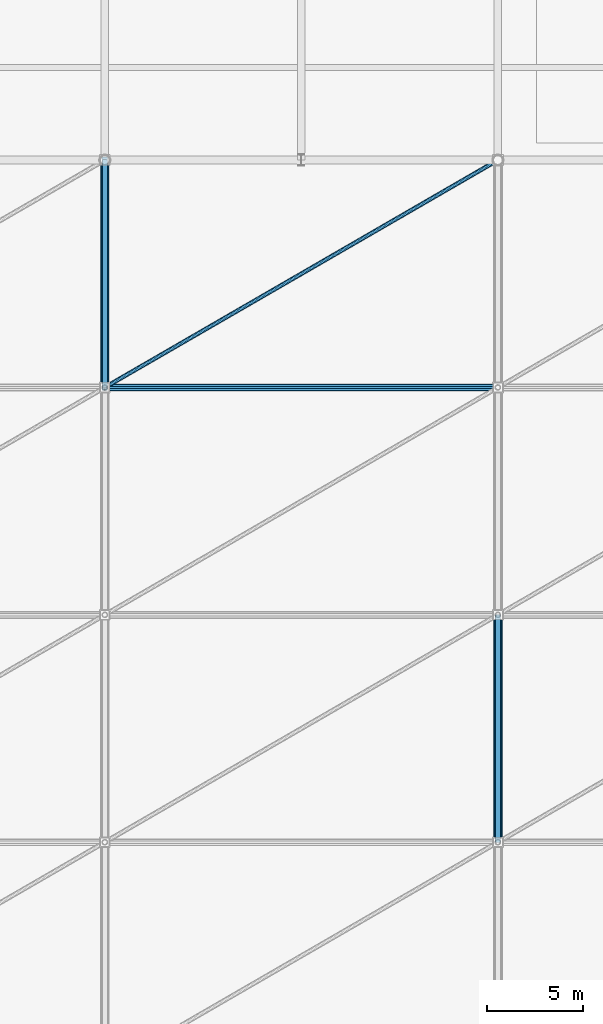
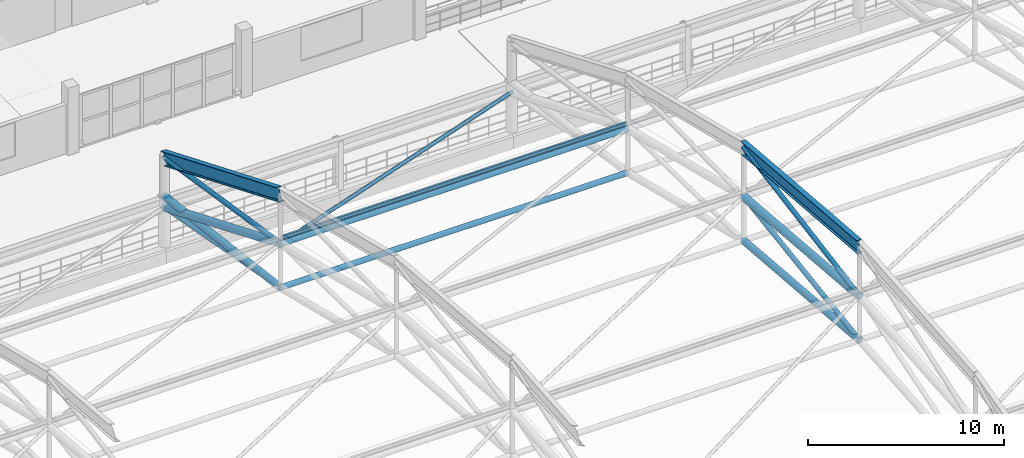
# One storey, part 40 of 135: 12 members, 2 beams.
"""IFC4 building model written with IfcOpenShell, lengths in metres."""

from ifc_helpers import new_model, si_unit, direction, frame, origin, origin_2d, place, context, subcontext, project, spatial, hollow_circle, i_section, extrude, material, material_profile, profile_set, type_object, element, save


model = new_model("IFC4")

# Units and contexts
model_context = context("Model", 3, precision=1e-05, world=origin(), true_north=direction((0.0, 1.0)))
body_context = subcontext(model_context, "Body", "Model", "MODEL_VIEW")
ifc_project = project(units=[si_unit("LENGTHUNIT", "METRE"), si_unit("AREAUNIT", "SQUARE_METRE"), si_unit("VOLUMEUNIT", "CUBIC_METRE"), si_unit("PLANEANGLEUNIT", "RADIAN"), si_unit("MASSUNIT", "GRAM", prefix="KILO")], contexts=[model_context])

# Site, building, storey
site_placement = place(None, origin())
site = spatial("IfcSite", under=ifc_project, at=site_placement, CompositionType="ELEMENT")
building_placement = place(site_placement, origin())
building = spatial("IfcBuilding", under=site, at=building_placement, Name="Brelvane Convention Centre", CompositionType="ELEMENT")
storey_placement = place(building_placement, frame((0.0, 0.0, 15.0)))
storey = spatial("IfcBuildingStorey", under=building, at=storey_placement, Name="L03", CompositionType="ELEMENT", Elevation=15.0)

# Beams
ifc_material_1 = material(Name="Steel E450 (450 MPa)", Category="steel")
ifc_material_profile_1 = material_profile(ifc_material_1, i_section(OverallWidth=0.300048828125, OverallDepth=0.800048828125, WebThickness=0.015380859375, FlangeThickness=0.030029296875, FilletRadius=0.027099609375, at=origin_2d()), Name="NPB 800x300")
ifc_profile_set_1 = profile_set([ifc_material_profile_1], Name="Steel E450 (450 MPa)")
beam_type = type_object("IfcBeamType", Name="Steel Beam B-ST2 (NPB 800x300)", PredefinedType="BEAM", material=ifc_profile_set_1)
beam_1_placement = place(storey_placement, frame((81.60009765625, 87.800048828125, 10.288818359375), z_axis=(0.0, 0.923846983903, -0.382762002207), x_axis=(-1.0, 0.0, 0.0)))
element("IfcBeam", 1, at=beam_1_placement, inside=storey, type_object=beam_type, Name="EXO_EXH Exoskeletal Arch Girder 5.6", PredefinedType="BEAM", context=body_context, shape_type="SweptSolid", body=[
    extrude(i_section(OverallWidth=0.300048828125, OverallDepth=0.800048828125, WebThickness=0.015380859375, FlangeThickness=0.030029296875, FilletRadius=0.027099609375, at=origin_2d()), origin(), (0.0, 0.0, 1.0), 12.772705078125),
])
beam_2_placement = place(storey_placement, frame((102.0, 64.199951171875, 14.199951171875), z_axis=(0.0, 0.996584470208, -0.082579620615), x_axis=(-1.0, 0.0, 0.0)))
element("IfcBeam", 2, at=beam_2_placement, inside=storey, type_object=beam_type, Name="EXO_EXH Exoskeletal Arch Girder 6.4", PredefinedType="BEAM", context=body_context, shape_type="SweptSolid", body=[
    extrude(i_section(OverallWidth=0.300048828125, OverallDepth=0.800048828125, WebThickness=0.015380859375, FlangeThickness=0.030029296875, FilletRadius=0.027099609375, at=origin_2d()), origin(), (0.0, 0.0, 1.0), 11.840576171875),
])

# Members
ifc_material_2 = material(Name="Steel E350 (350 MPa)", Category="steel")
ifc_material_profile_2 = material_profile(ifc_material_2, hollow_circle(Radius=0.136474609375, WallThickness=0.012451171875, at=origin_2d()), Name="CHS 273.0x12.5")
ifc_profile_set_2 = profile_set([ifc_material_profile_2], Name="Steel E350 (350 MPa)")
member_type_1 = type_object("IfcMemberType", Name="Steel Brace SF-DG1 (CHS 273.0x12.5)", PredefinedType="BRACE", material=ifc_profile_set_2)
member_1_placement = place(storey_placement, frame((81.60009765625, 87.800048828125, 4.489013671875), z_axis=(0.0, 0.983819064294, -0.179164864666), x_axis=(-1.0, 0.0, 0.0)))
element("IfcMember", 3, at=member_1_placement, inside=storey, type_object=member_type_1, Name="SF_EXH Space-Frame Web Diagonal D5.6", PredefinedType="BRACE", context=body_context, shape_type="SweptSolid", body=[
    extrude(hollow_circle(Radius=0.136474609375, WallThickness=0.012451171875, at=origin_2d()), origin(), (0.0, 0.0, 1.0), 11.994140625),
])
member_2_placement = place(storey_placement, frame((102.0, 64.199951171875, 8.39990234375), z_axis=(0.0, 0.989032056502, 0.147701019672), x_axis=(-1.0, 0.0, 0.0)))
element("IfcMember", 4, at=member_2_placement, inside=storey, type_object=member_type_1, Name="SF_EXH Space-Frame Web Diagonal D6.4", PredefinedType="BRACE", context=body_context, shape_type="SweptSolid", body=[
    extrude(hollow_circle(Radius=0.136474609375, WallThickness=0.012451171875, at=origin_2d()), origin(), (0.0, 0.0, 1.0), 11.930908203125),
])
member_3_placement = place(storey_placement, frame((81.60009765625, 87.800048828125, 7.22900390625), z_axis=(0.0, 0.988198514394, -0.153178641298), x_axis=(-1.0, 0.0, 0.0)))
element("IfcMember", 5, at=member_3_placement, inside=storey, type_object=member_type_1, Name="EXO_EXH Exoskeletal Arch Web 5.6", PredefinedType="BRACE", context=body_context, shape_type="SweptSolid", body=[
    extrude(hollow_circle(Radius=0.136474609375, WallThickness=0.012451171875, at=origin_2d()), origin(), (0.0, 0.0, 1.0), 11.94091796875),
])
member_4_placement = place(storey_placement, frame((102.0, 64.199951171875, 11.139892578125), z_axis=(0.0, 0.984784789498, 0.173778359912), x_axis=(-1.0, 0.0, 0.0)))
element("IfcMember", 6, at=member_4_placement, inside=storey, type_object=member_type_1, Name="EXO_EXH Exoskeletal Arch Web 6.4", PredefinedType="BRACE", context=body_context, shape_type="SweptSolid", body=[
    extrude(hollow_circle(Radius=0.136474609375, WallThickness=0.012451171875, at=origin_2d()), origin(), (0.0, 0.0, 1.0), 11.982421875),
])
ifc_material_3 = material(Name="Steel E350 (350 MPa)", Category="steel")
ifc_material_profile_3 = material_profile(ifc_material_3, hollow_circle(Radius=0.109619140625, WallThickness=0.010009765625, at=origin_2d()), Name="CHS 219.1x10.0")
ifc_profile_set_3 = profile_set([ifc_material_profile_3], Name="Steel E350 (350 MPa)")
member_type_2 = type_object("IfcMemberType", Name="Steel Brace SF-DG2 (CHS 219.1x10.0)", PredefinedType="BRACE", material=ifc_profile_set_3)
member_5_placement = place(storey_placement, frame((81.60009765625, 87.800048828125, 7.22900390625), z_axis=(0.847572434082, 0.490266862018, -0.203124033516), x_axis=(-0.500705052683, 0.865617958581, 0.0)))
element("IfcMember", 7, at=member_5_placement, inside=storey, type_object=member_type_2, Name="SF_EXH Roof Diaphragm Brace PB5.6", PredefinedType="BRACE", context=body_context, shape_type="SweptSolid", body=[
    extrude(hollow_circle(Radius=0.109619140625, WallThickness=0.010009765625, at=origin_2d()), origin(), (0.0, 0.0, 1.0), 24.068603515625),
])
ifc_material_4 = material(Name="Steel E450 (450 MPa)", Category="steel")
ifc_material_profile_4 = material_profile(ifc_material_4, hollow_circle(Radius=0.203125, WallThickness=0.01611328125, at=origin_2d()), Name="CHS 406.4x16.0")
ifc_profile_set_4 = profile_set([ifc_material_profile_4], Name="Steel E450 (450 MPa)")
member_type_3 = type_object("IfcMemberType", Name="Steel Chord SF-BC1 (CHS 406.4x16.0)", PredefinedType="CHORD", material=ifc_profile_set_4)
member_6_placement = place(storey_placement, frame((81.60009765625, 87.800048828125, 4.489013671875), z_axis=(0.0, 0.992132246813, -0.125194268374), x_axis=(-1.0, 0.0, 0.0)))
element("IfcMember", 8, at=member_6_placement, inside=storey, type_object=member_type_3, Name="SF_EXH Space-Frame Bottom Chord B5.6", PredefinedType="CHORD", context=body_context, shape_type="SweptSolid", body=[
    extrude(hollow_circle(Radius=0.203125, WallThickness=0.01611328125, at=origin_2d()), origin(), (0.0, 0.0, 1.0), 11.8935546875),
])
member_7_placement = place(storey_placement, frame((102.0, 64.199951171875, 8.39990234375), z_axis=(0.0, 0.996584470208, -0.082579620615), x_axis=(-1.0, 0.0, 0.0)))
element("IfcMember", 9, at=member_7_placement, inside=storey, type_object=member_type_3, Name="SF_EXH Space-Frame Bottom Chord B6.4", PredefinedType="CHORD", context=body_context, shape_type="SweptSolid", body=[
    extrude(hollow_circle(Radius=0.203125, WallThickness=0.01611328125, at=origin_2d()), origin(), (0.0, 0.0, 1.0), 11.840576171875),
])
ifc_material_5 = material(Name="Steel E350 (350 MPa)", Category="steel")
ifc_material_profile_5 = material_profile(ifc_material_5, hollow_circle(Radius=0.161865234375, WallThickness=0.012451171875, at=origin_2d()), Name="CHS 323.9x12.5")
ifc_profile_set_5 = profile_set([ifc_material_profile_5], Name="Steel E350 (350 MPa)")
member_type_4 = type_object("IfcMemberType", Name="Steel Chord SF-BC2 (CHS 323.9x12.5)", PredefinedType="CHORD", material=ifc_profile_set_5)
member_8_placement = place(storey_placement, frame((81.60009765625, 87.800048828125, 4.489013671875), z_axis=(1.0, 0.0, 0.0), x_axis=(0.0, 1.0, 0.0)))
element("IfcMember", 10, at=member_8_placement, inside=storey, type_object=member_type_4, Name="SF_EXH Longitudinal Bottom Chord LB5.6", PredefinedType="CHORD", context=body_context, shape_type="SweptSolid", body=[
    extrude(hollow_circle(Radius=0.161865234375, WallThickness=0.012451171875, at=origin_2d()), origin(), (0.0, 0.0, 1.0), 20.39990234375),
])
ifc_material_6 = material(Name="Steel E450 (450 MPa)", Category="steel")
ifc_material_profile_6 = material_profile(ifc_material_6, hollow_circle(Radius=0.228515625, WallThickness=0.02001953125, at=origin_2d()), Name="CHS 457.0x20.0")
ifc_profile_set_6 = profile_set([ifc_material_profile_6], Name="Steel E450 (450 MPa)")
member_type_5 = type_object("IfcMemberType", Name="Steel Chord SF-TC1 (CHS 457.0x20.0)", PredefinedType="CHORD", material=ifc_profile_set_6)
member_9_placement = place(storey_placement, frame((81.60009765625, 87.800048828125, 7.22900390625), z_axis=(0.0, 0.923846983903, -0.382762002207), x_axis=(-1.0, 0.0, 0.0)))
element("IfcMember", 11, at=member_9_placement, inside=storey, type_object=member_type_5, Name="SF_EXH Space-Frame Top Chord T5.6", PredefinedType="CHORD", context=body_context, shape_type="SweptSolid", body=[
    extrude(hollow_circle(Radius=0.228515625, WallThickness=0.02001953125, at=origin_2d()), origin(), (0.0, 0.0, 1.0), 12.772705078125),
])
member_10_placement = place(storey_placement, frame((102.0, 64.199951171875, 11.139892578125), z_axis=(0.0, 0.996584470208, -0.082579620615), x_axis=(-1.0, 0.0, 0.0)))
element("IfcMember", 12, at=member_10_placement, inside=storey, type_object=member_type_5, Name="SF_EXH Space-Frame Top Chord T6.4", PredefinedType="CHORD", context=body_context, shape_type="SweptSolid", body=[
    extrude(hollow_circle(Radius=0.228515625, WallThickness=0.02001953125, at=origin_2d()), origin(), (0.0, 0.0, 1.0), 11.840576171875),
])
ifc_material_7 = material(Name="Steel E450 (450 MPa)", Category="steel")
ifc_material_profile_7 = material_profile(ifc_material_7, hollow_circle(Radius=0.177734375, WallThickness=0.01611328125, at=origin_2d()), Name="CHS 355.6x16.0")
ifc_profile_set_7 = profile_set([ifc_material_profile_7], Name="Steel E450 (450 MPa)")
member_type_6 = type_object("IfcMemberType", Name="Steel Chord SF-TC2 (CHS 355.6x16.0)", PredefinedType="CHORD", material=ifc_profile_set_7)
member_11_placement = place(storey_placement, frame((81.60009765625, 87.800048828125, 7.22900390625), z_axis=(1.0, 0.0, 0.0), x_axis=(0.0, 1.0, 0.0)))
element("IfcMember", 13, at=member_11_placement, inside=storey, type_object=member_type_6, Name="SF_EXH Longitudinal Top Chord LT5.6", PredefinedType="CHORD", context=body_context, shape_type="SweptSolid", body=[
    extrude(hollow_circle(Radius=0.177734375, WallThickness=0.01611328125, at=origin_2d()), origin(), (0.0, 0.0, 1.0), 20.39990234375),
])
ifc_material_8 = material(Name="Steel E350 (350 MPa)", Category="steel")
ifc_material_profile_8 = material_profile(ifc_material_8, i_section(OverallWidth=0.125, OverallDepth=0.25, WebThickness=0.0068359375, FlangeThickness=0.012451171875, FilletRadius=0.012939453125, at=origin_2d()), Name="ISMB 250")
ifc_profile_set_8 = profile_set([ifc_material_profile_8], Name="Steel E350 (350 MPa)")
member_type_7 = type_object("IfcMemberType", Name="Steel Purlin PR-ST1 (ISMB 250)", PredefinedType="PURLIN", material=ifc_profile_set_8)
member_12_placement = place(storey_placement, frame((81.60009765625, 87.800048828125, 7.56396484375), z_axis=(1.0, 0.0, 0.0), x_axis=(0.0, 1.0, 0.0)))
element("IfcMember", 14, at=member_12_placement, inside=storey, type_object=member_type_7, Name="SF_EXH Roof Purlin P5.6", PredefinedType="PURLIN", context=body_context, shape_type="SweptSolid", body=[
    extrude(i_section(OverallWidth=0.125, OverallDepth=0.25, WebThickness=0.0068359375, FlangeThickness=0.012451171875, FilletRadius=0.012939453125, at=origin_2d()), origin(), (0.0, 0.0, 1.0), 20.39990234375),
])

save(model, "model.ifc")
